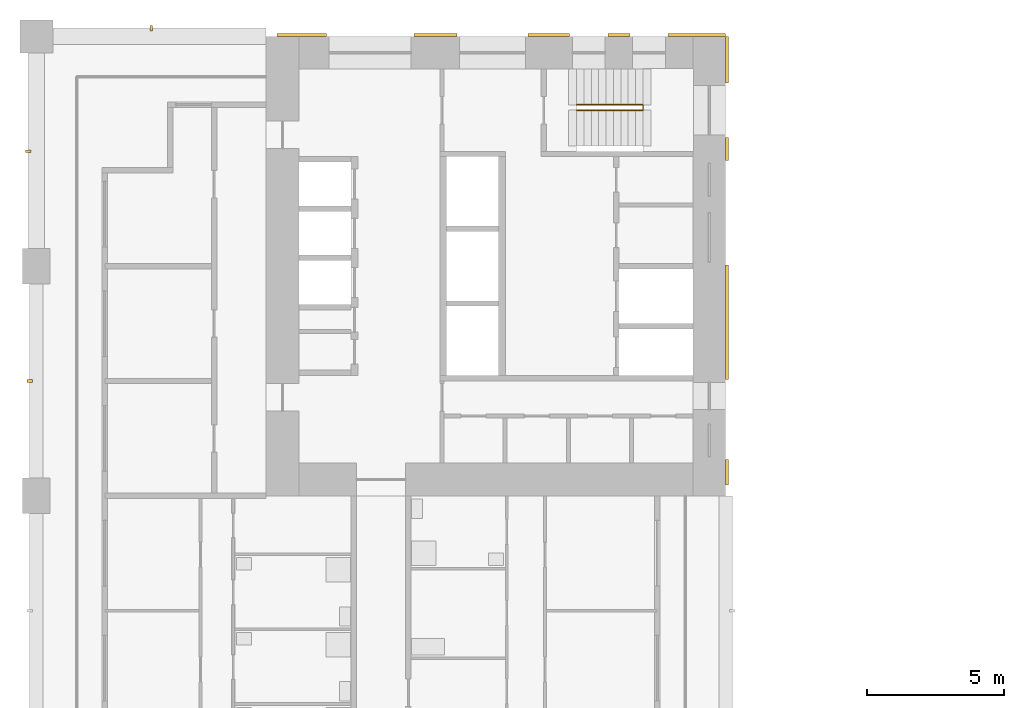
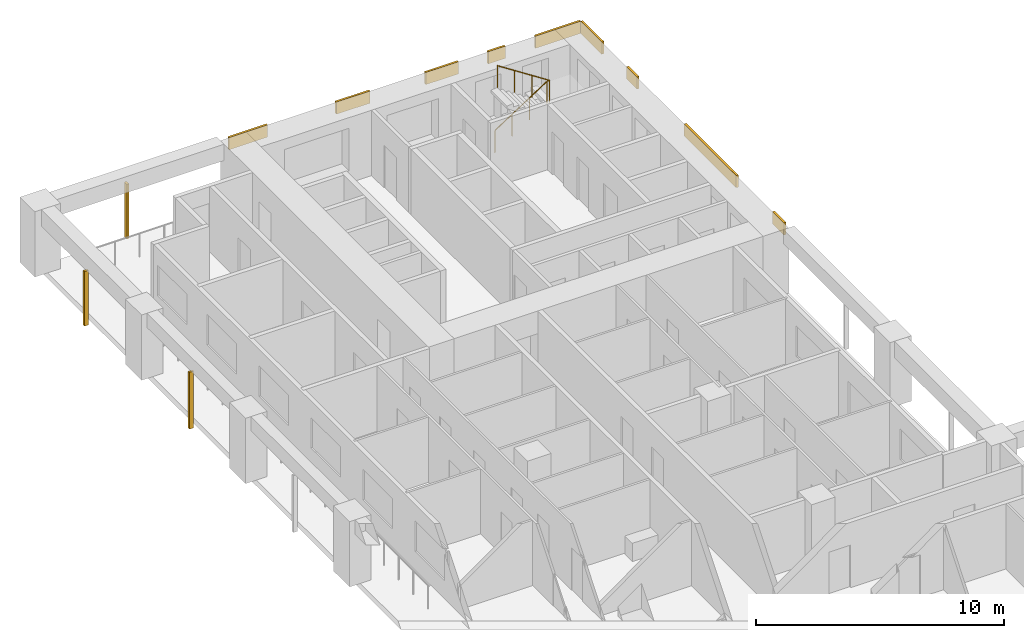
# One storey, part 15 of 17: 12 shading devices, 1 railing.
"""IFC4 building model written with IfcOpenShell, lengths in metres."""

from ifc_helpers import new_model, si_unit, direction, frame, origin, origin_2d, place, context, subcontext, project, spatial, rectangle, circle, extrude, material, layer, layer_set, material_profile, profile_set, type_object, element, save


model = new_model("IFC4")

# Units and contexts
model_context = context("Model", 3, precision=1e-05, world=origin(), true_north=direction((0.0, 1.0)))
body_context = subcontext(model_context, "Body", "Model", "MODEL_VIEW")
ifc_project = project(units=[si_unit("LENGTHUNIT", "METRE"), si_unit("AREAUNIT", "SQUARE_METRE"), si_unit("VOLUMEUNIT", "CUBIC_METRE"), si_unit("PLANEANGLEUNIT", "RADIAN"), si_unit("MASSUNIT", "GRAM", prefix="KILO")], contexts=[model_context])

# Site, building, storey
site_placement = place(None, origin())
site = spatial("IfcSite", under=ifc_project, at=site_placement, CompositionType="ELEMENT")
building_placement = place(site_placement, origin())
building = spatial("IfcBuilding", under=site, at=building_placement, Name="Vermilion Gate Residences", CompositionType="ELEMENT")
storey_placement = place(building_placement, frame((0.0, 0.0, 95.199951171875)))
storey = spatial("IfcBuildingStorey", under=building, at=storey_placement, Name="L23", CompositionType="ELEMENT", Elevation=95.199951171875)

# Railing
ifc_material_1 = material(Name="Steel S355", Category="steel")
railing_type = type_object("IfcRailingType", Name="STAIR GUARD 1100 STEEL", PredefinedType="GUARDRAIL", material=ifc_material_1)
railing_placement = place(storey_placement, frame((19.75, 56.300048828125, 0.175048828125)))
element("IfcRailing", 1, at=railing_placement, inside=storey, type_object=railing_type, Name="Stair well guard STB1-23", PredefinedType="GUARDRAIL", context=body_context, shape_type="SweptSolid", body=[
    extrude(circle(Radius=0.02392578125, at=origin_2d()), frame((0.0, 0.0, 1.076171875), z_axis=(0.839153699163, 0.0, 0.543894354798), x_axis=(0.0, 1.0, 0.0)), (0.0, 0.0, 1.0), 2.895751953125),
    extrude(circle(Radius=0.02392578125, at=origin_2d()), frame((2.429931640625, 0.0, 2.65087890625), z_axis=(0.0, -0.752405939678, 0.658699705433), x_axis=(1.0, 0.0, 0.0)), (0.0, 0.0, 1.0), 0.265869140625),
    extrude(circle(Radius=0.02392578125, at=origin_2d()), frame((2.429931640625, -0.199951171875, 2.826171875), z_axis=(-0.839153699163, 0.0, 0.543894354798), x_axis=(0.0, -1.0, 0.0)), (0.0, 0.0, 1.0), 2.895751953125),
    extrude(circle(Radius=0.02099609375, at=origin_2d()), origin(), (0.0, 0.0, 1.0), 1.052001953125),
    extrude(circle(Radius=0.02099609375, at=origin_2d()), frame((0.81005859375, 0.0, 0.52490234375)), (0.0, 0.0, 1.0), 1.052001953125),
    extrude(circle(Radius=0.02099609375, at=origin_2d()), frame((1.619873046875, 0.0, 1.050048828125)), (0.0, 0.0, 1.0), 1.052001953125),
    extrude(circle(Radius=0.02099609375, at=origin_2d()), frame((2.429931640625, 0.0, 1.574951171875)), (0.0, 0.0, 1.0), 1.052001953125),
    extrude(circle(Radius=0.02099609375, at=origin_2d()), frame((2.429931640625, -0.199951171875, 1.75)), (0.0, 0.0, 1.0), 1.052001953125),
    extrude(circle(Radius=0.02099609375, at=origin_2d()), frame((1.619873046875, -0.199951171875, 2.27490234375)), (0.0, 0.0, 1.0), 1.052001953125),
    extrude(circle(Radius=0.02099609375, at=origin_2d()), frame((0.81005859375, -0.199951171875, 2.800048828125)), (0.0, 0.0, 1.0), 1.052001953125),
    extrude(circle(Radius=0.02099609375, at=origin_2d()), frame((0.0, -0.199951171875, 3.324951171875)), (0.0, 0.0, 1.0), 1.052001953125),
])

# Shading devices
ifc_material_2 = material(Name="Extruded terracotta", Category="masonry")
ifc_material_profile = material_profile(ifc_material_2, rectangle(XDim=0.199951171875, YDim=0.10009765625, at=origin_2d()), Name="BAGUETTE 100 X 200")
ifc_profile_set = profile_set([ifc_material_profile], Name="Extruded terracotta")
shading_device_type_1 = type_object("IfcShadingDeviceType", Name="TERRACOTTA BAGUETTE 100 X 200", PredefinedType="JALOUSIE", material=ifc_profile_set)
shading_device_1_placement = place(storey_placement, frame((4.199951171875, 59.10009765625, -0.280029296875), z_axis=(0.0, 0.0, 1.0), x_axis=(0.0, -1.0, 0.0)))
element("IfcShadingDevice", 2, at=shading_device_1_placement, inside=storey, type_object=shading_device_type_1, Name="BAGUETTE", PredefinedType="JALOUSIE", context=body_context, shape_type="SweptSolid", body=[
    extrude(rectangle(XDim=0.199951171875, YDim=0.10009765625, at=origin_2d()), origin(), (0.0, 0.0, 1.0), 2.7001953125),
])
shading_device_2_placement = place(storey_placement, frame((-0.25, 46.199951171875, -0.280029296875), z_axis=(0.0, 0.0, 1.0), x_axis=(1.0, 0.0, 0.0)))
element("IfcShadingDevice", 3, at=shading_device_2_placement, inside=storey, type_object=shading_device_type_1, Name="BAGUETTE", PredefinedType="JALOUSIE", context=body_context, shape_type="SweptSolid", body=[
    extrude(rectangle(XDim=0.199951171875, YDim=0.10009765625, at=origin_2d()), origin(), (0.0, 0.0, 1.0), 2.800048828125),
])
shading_device_3_placement = place(storey_placement, frame((-0.300048828125, 54.60009765625, -0.280029296875), z_axis=(0.0, 0.0, 1.0), x_axis=(1.0, 0.0, 0.0)))
element("IfcShadingDevice", 4, at=shading_device_3_placement, inside=storey, type_object=shading_device_type_1, Name="BAGUETTE", PredefinedType="JALOUSIE", context=body_context, shape_type="SweptSolid", body=[
    extrude(rectangle(XDim=0.199951171875, YDim=0.10009765625, at=origin_2d()), origin(), (0.0, 0.0, 1.0), 2.7001953125),
])
ifc_material_3 = material(Name="Extruded terracotta", Category="masonry")
ifc_layer = layer(ifc_material_3, 0.10009765625)
ifc_layer_set = layer_set([ifc_layer], Name="TERRACOTTA SPANDREL BAND 600 X 100")
shading_device_type_2 = type_object("IfcShadingDeviceType", Name="TERRACOTTA SPANDREL BAND 600 X 100", PredefinedType="USERDEFINED", material=ifc_layer_set)
shading_device_4_placement = place(storey_placement, frame((9.702392578125, 58.85009765625, 2.6201171875), z_axis=(0.0, 0.0, 1.0), x_axis=(1.0, 0.0, 0.0)))
element("IfcShadingDevice", 5, at=shading_device_4_placement, inside=storey, type_object=shading_device_type_2, Name="SPANDREL BAND", ObjectType="BAND", PredefinedType="USERDEFINED", context=body_context, shape_type="SweptSolid", body=[
    extrude(rectangle(XDim=1.804931640625, YDim=0.10009765625, at=origin_2d()), origin(), (0.0, 0.0, 1.0), 0.60009765625),
])
shading_device_5_placement = place(storey_placement, frame((14.590087890625, 58.85009765625, 2.6201171875), z_axis=(0.0, 0.0, 1.0), x_axis=(1.0, 0.0, 0.0)))
element("IfcShadingDevice", 6, at=shading_device_5_placement, inside=storey, type_object=shading_device_type_2, Name="SPANDREL BAND", ObjectType="BAND", PredefinedType="USERDEFINED", context=body_context, shape_type="SweptSolid", body=[
    extrude(rectangle(XDim=1.570068359375, YDim=0.10009765625, at=origin_2d()), origin(), (0.0, 0.0, 1.0), 0.60009765625),
])
shading_device_6_placement = place(storey_placement, frame((18.734130859375, 58.85009765625, 2.6201171875), z_axis=(0.0, 0.0, 1.0), x_axis=(1.0, 0.0, 0.0)))
element("IfcShadingDevice", 7, at=shading_device_6_placement, inside=storey, type_object=shading_device_type_2, Name="SPANDREL BAND", ObjectType="BAND", PredefinedType="USERDEFINED", context=body_context, shape_type="SweptSolid", body=[
    extrude(rectangle(XDim=1.518310546875, YDim=0.10009765625, at=origin_2d()), origin(), (0.0, 0.0, 1.0), 0.60009765625),
])
shading_device_7_placement = place(storey_placement, frame((21.294921875, 58.85009765625, 2.6201171875), z_axis=(0.0, 0.0, 1.0), x_axis=(1.0, 0.0, 0.0)))
element("IfcShadingDevice", 8, at=shading_device_7_placement, inside=storey, type_object=shading_device_type_2, Name="SPANDREL BAND", ObjectType="BAND", PredefinedType="USERDEFINED", context=body_context, shape_type="SweptSolid", body=[
    extrude(rectangle(XDim=0.803466796875, YDim=0.10009765625, at=origin_2d()), origin(), (0.0, 0.0, 1.0), 0.60009765625),
])
shading_device_8_placement = place(storey_placement, frame((24.1484375, 58.85009765625, 2.6201171875), z_axis=(0.0, 0.0, 1.0), x_axis=(1.0, 0.0, 0.0)))
element("IfcShadingDevice", 9, at=shading_device_8_placement, inside=storey, type_object=shading_device_type_2, Name="SPANDREL BAND", ObjectType="BAND", PredefinedType="USERDEFINED", context=body_context, shape_type="SweptSolid", body=[
    extrude(rectangle(XDim=2.103271484375, YDim=0.10009765625, at=origin_2d()), origin(), (0.0, 0.0, 1.0), 0.60009765625),
])
shading_device_9_placement = place(storey_placement, frame((25.25, 42.862548828125, 2.6201171875), z_axis=(0.0, 0.0, 1.0), x_axis=(0.0, 1.0, 0.0)))
element("IfcShadingDevice", 10, at=shading_device_9_placement, inside=storey, type_object=shading_device_type_2, Name="SPANDREL BAND", ObjectType="BAND", PredefinedType="USERDEFINED", context=body_context, shape_type="SweptSolid", body=[
    extrude(rectangle(XDim=0.925048828125, YDim=0.10009765625, at=origin_2d()), origin(), (0.0, 0.0, 1.0), 0.60009765625),
])
shading_device_10_placement = place(storey_placement, frame((25.25, 48.35009765625, 2.6201171875), z_axis=(0.0, 0.0, 1.0), x_axis=(0.0, 1.0, 0.0)))
element("IfcShadingDevice", 11, at=shading_device_10_placement, inside=storey, type_object=shading_device_type_2, Name="SPANDREL BAND", ObjectType="BAND", PredefinedType="USERDEFINED", context=body_context, shape_type="SweptSolid", body=[
    extrude(rectangle(XDim=4.199951171875, YDim=0.10009765625, at=origin_2d()), origin(), (0.0, 0.0, 1.0), 0.60009765625),
])
shading_device_11_placement = place(storey_placement, frame((25.25, 54.67822265625, 2.6201171875), z_axis=(0.0, 0.0, 1.0), x_axis=(0.0, 1.0, 0.0)))
element("IfcShadingDevice", 12, at=shading_device_11_placement, inside=storey, type_object=shading_device_type_2, Name="SPANDREL BAND", ObjectType="BAND", PredefinedType="USERDEFINED", context=body_context, shape_type="SweptSolid", body=[
    extrude(rectangle(XDim=0.84375, YDim=0.10009765625, at=origin_2d()), origin(), (0.0, 0.0, 1.0), 0.60009765625),
])
shading_device_12_placement = place(storey_placement, frame((25.25, 57.949951171875, 2.6201171875), z_axis=(0.0, 0.0, 1.0), x_axis=(0.0, 1.0, 0.0)))
element("IfcShadingDevice", 13, at=shading_device_12_placement, inside=storey, type_object=shading_device_type_2, Name="SPANDREL BAND", ObjectType="BAND", PredefinedType="USERDEFINED", context=body_context, shape_type="SweptSolid", body=[
    extrude(rectangle(XDim=1.699951171875, YDim=0.10009765625, at=origin_2d()), origin(), (0.0, 0.0, 1.0), 0.60009765625),
])

save(model, "model.ifc")
